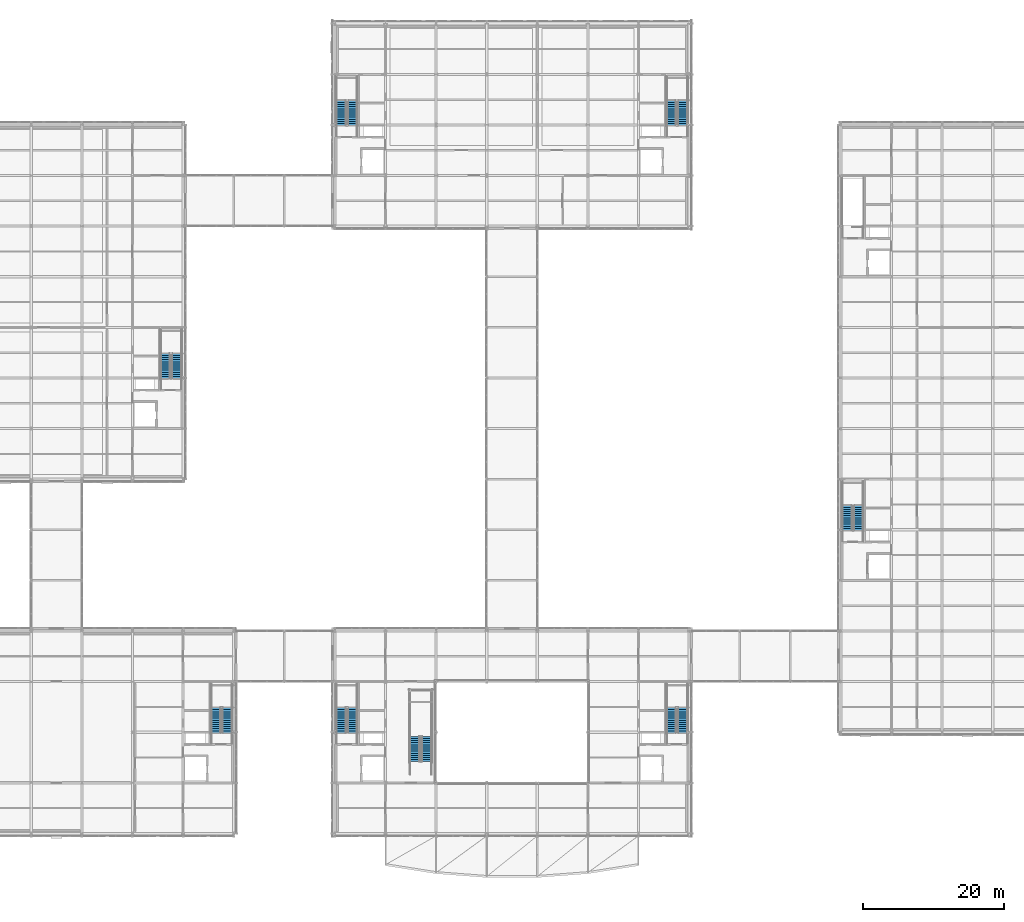
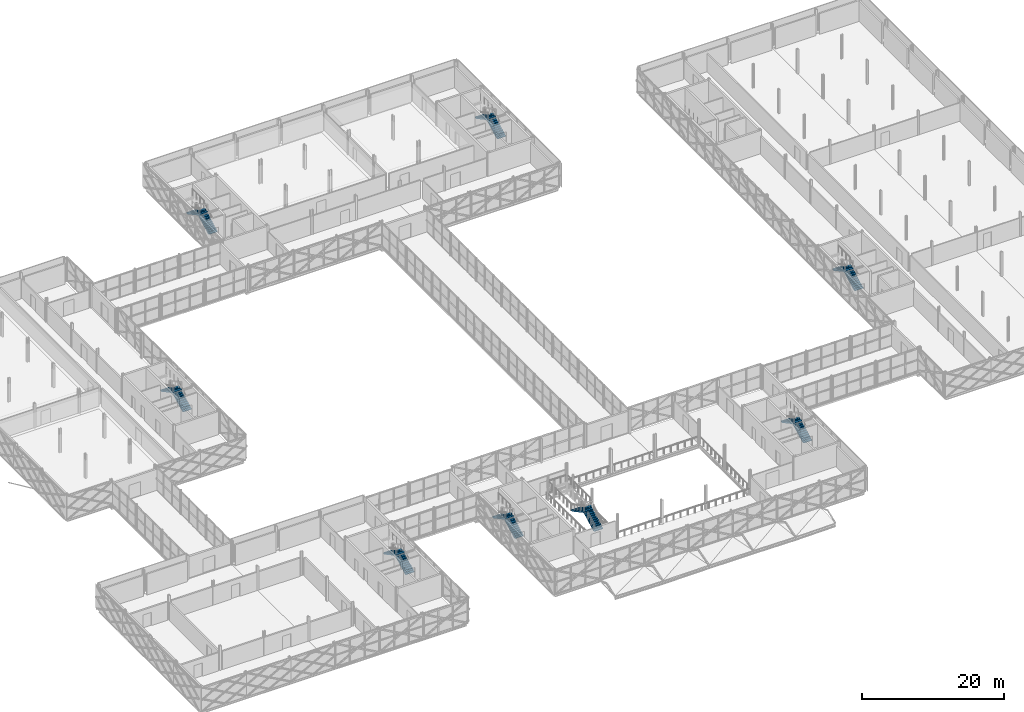
# One storey, part 127 of 146: 16 stair flights, 8 elements without a shape of their own.
"""IFC4 building model written with IfcOpenShell, lengths in metres."""

from ifc_helpers import new_model, si_unit, direction, frame, origin, place, context, subcontext, project, spatial, polyline, outline, extrude, material, type_object, element, aggregate, save


model = new_model("IFC4")

# Units and contexts
model_context = context("Model", 3, precision=1e-05, world=origin(), true_north=direction((0.0, 1.0)))
body_context = subcontext(model_context, "Body", "Model", "MODEL_VIEW")
ifc_project = project(units=[si_unit("LENGTHUNIT", "METRE"), si_unit("AREAUNIT", "SQUARE_METRE"), si_unit("VOLUMEUNIT", "CUBIC_METRE"), si_unit("PLANEANGLEUNIT", "RADIAN"), si_unit("MASSUNIT", "GRAM", prefix="KILO")], contexts=[model_context])

# Site, building, storey
site_placement = place(None, origin())
site = spatial("IfcSite", under=ifc_project, at=site_placement, CompositionType="ELEMENT")
building_placement = place(site_placement, origin())
building = spatial("IfcBuilding", under=site, at=building_placement, Name="Zlatovets Crest Museum", CompositionType="ELEMENT")
storey_placement = place(building_placement, frame((0.0, 0.0, 4.5)))
storey = spatial("IfcBuildingStorey", under=building, at=storey_placement, Name="L01", CompositionType="ELEMENT", Elevation=4.5)

# Stair, stair flights
ifc_material = material(Name="Concrete C35/45", Category="concrete")
stair_type_1 = type_object("IfcStairType", Name="Stair_ST1-26R", PredefinedType="HALF_TURN_STAIR", material=ifc_material)
stair_1_placement = place(storey_placement, origin())
stair_1 = element("IfcStair", 1, at=stair_1_placement, inside=storey, type_object=stair_type_1, Name="L01 Core C1 Escape Stair ST1", PredefinedType="HALF_TURN_STAIR")
stair_flight_type_1 = type_object("IfcStairFlightType", Name="Flight_ST1F-13R", PredefinedType="STRAIGHT", material=ifc_material)
stair_flight_1_placement = place(storey_placement, frame((60.10009765625, 100.699951171875, 0.0), z_axis=(0.0, 0.0, 1.0), x_axis=(0.0, 1.0, 0.0)))
stair_flight_1 = element("IfcStairFlight", 2, at=stair_flight_1_placement, type_object=stair_flight_type_1, Name="ST1 flight 1", NumberOfRisers=13, NumberOfTreads=12, PredefinedType="STRAIGHT", RiserHeight=0.161538462, TreadLength=0.3, context=body_context, shape_type="SweptSolid", body=[
    extrude(outline(polyline([(0.0, 0.0), (0.0, 0.16162109375), (0.300048828125, 0.16162109375), (0.300048828125, 0.322998046875), (0.60009765625, 0.322998046875), (0.60009765625, 0.484619140625), (0.89990234375, 0.484619140625), (0.89990234375, 0.646240234375), (1.199951171875, 0.646240234375), (1.199951171875, 0.8076171875), (1.5, 0.8076171875), (1.5, 0.96923828125), (1.800048828125, 0.96923828125), (1.800048828125, 1.130859375), (2.10009765625, 1.130859375), (2.10009765625, 1.292236328125), (2.39990234375, 1.292236328125), (2.39990234375, 1.453857421875), (2.699951171875, 1.453857421875), (2.699951171875, 1.615478515625), (3.0, 1.615478515625), (3.0, 1.77685546875), (3.300048828125, 1.77685546875), (3.300048828125, 1.9384765625), (3.60009765625, 1.9384765625), (3.60009765625, 2.10009765625), (3.60009765625, 1.768310546875), (0.316162109375, 0.0), (0.0, 0.0)])), frame((0.0, 0.699951171875, 0.0), z_axis=(0.0, -1.0, 0.0), x_axis=(1.0, 0.0, 0.0)), (0.0, 0.0, 1.0), 1.39990234375),
])
stair_flight_2_placement = place(storey_placement, frame((58.5, 104.300048828125, 2.10009765625), z_axis=(0.0, 0.0, 1.0), x_axis=(0.0, -1.0, 0.0)))
stair_flight_2 = element("IfcStairFlight", 3, at=stair_flight_2_placement, type_object=stair_flight_type_1, Name="ST1 flight 2", NumberOfRisers=13, NumberOfTreads=12, PredefinedType="STRAIGHT", RiserHeight=0.161538462, TreadLength=0.3, context=body_context, shape_type="SweptSolid", body=[
    extrude(outline(polyline([(0.0, 0.0), (0.0, 0.16162109375), (0.300048828125, 0.16162109375), (0.300048828125, 0.322998046875), (0.60009765625, 0.322998046875), (0.60009765625, 0.484619140625), (0.89990234375, 0.484619140625), (0.89990234375, 0.646240234375), (1.199951171875, 0.646240234375), (1.199951171875, 0.8076171875), (1.5, 0.8076171875), (1.5, 0.96923828125), (1.800048828125, 0.96923828125), (1.800048828125, 1.130859375), (2.10009765625, 1.130859375), (2.10009765625, 1.292236328125), (2.39990234375, 1.292236328125), (2.39990234375, 1.453857421875), (2.699951171875, 1.453857421875), (2.699951171875, 1.615478515625), (3.0, 1.615478515625), (3.0, 1.77685546875), (3.300048828125, 1.77685546875), (3.300048828125, 1.9384765625), (3.60009765625, 1.9384765625), (3.60009765625, 2.10009765625), (3.60009765625, 1.768310546875), (0.316162109375, 0.0), (0.0, 0.0)])), frame((0.0, 0.699951171875, 0.0), z_axis=(0.0, -1.0, 0.0), x_axis=(1.0, 0.0, 0.0)), (0.0, 0.0, 1.0), 1.39990234375),
])
aggregate(stair_1, [stair_flight_1, stair_flight_2])

stair_type_2 = type_object("IfcStairType", Name="Stair_ST2-26R", PredefinedType="HALF_TURN_STAIR", material=ifc_material)
stair_2_placement = place(storey_placement, origin())
stair_2 = element("IfcStair", 4, at=stair_2_placement, inside=storey, type_object=stair_type_2, Name="L01 Core C2 Escape Stair ST2", PredefinedType="HALF_TURN_STAIR")
stair_flight_type_2 = type_object("IfcStairFlightType", Name="Flight_ST2F-13R", PredefinedType="STRAIGHT", material=ifc_material)
stair_flight_3_placement = place(storey_placement, frame((60.10009765625, 14.300048828125, 0.0), z_axis=(0.0, 0.0, 1.0), x_axis=(0.0, 1.0, 0.0)))
stair_flight_3 = element("IfcStairFlight", 5, at=stair_flight_3_placement, type_object=stair_flight_type_2, Name="ST2 flight 1", NumberOfRisers=13, NumberOfTreads=12, PredefinedType="STRAIGHT", RiserHeight=0.161538462, TreadLength=0.3, context=body_context, shape_type="SweptSolid", body=[
    extrude(outline(polyline([(0.0, 0.0), (0.0, 0.16162109375), (0.300048828125, 0.16162109375), (0.300048828125, 0.322998046875), (0.60009765625, 0.322998046875), (0.60009765625, 0.484619140625), (0.89990234375, 0.484619140625), (0.89990234375, 0.646240234375), (1.199951171875, 0.646240234375), (1.199951171875, 0.8076171875), (1.5, 0.8076171875), (1.5, 0.96923828125), (1.800048828125, 0.96923828125), (1.800048828125, 1.130859375), (2.10009765625, 1.130859375), (2.10009765625, 1.292236328125), (2.39990234375, 1.292236328125), (2.39990234375, 1.453857421875), (2.699951171875, 1.453857421875), (2.699951171875, 1.615478515625), (3.0, 1.615478515625), (3.0, 1.77685546875), (3.300048828125, 1.77685546875), (3.300048828125, 1.9384765625), (3.60009765625, 1.9384765625), (3.60009765625, 2.10009765625), (3.60009765625, 1.768310546875), (0.316162109375, 0.0), (0.0, 0.0)])), frame((0.0, 0.699951171875, 0.0), z_axis=(0.0, -1.0, 0.0), x_axis=(1.0, 0.0, 0.0)), (0.0, 0.0, 1.0), 1.39990234375),
])
stair_flight_4_placement = place(storey_placement, frame((58.5, 17.89990234375, 2.10009765625), z_axis=(0.0, 0.0, 1.0), x_axis=(0.0, -1.0, 0.0)))
stair_flight_4 = element("IfcStairFlight", 6, at=stair_flight_4_placement, type_object=stair_flight_type_2, Name="ST2 flight 2", NumberOfRisers=13, NumberOfTreads=12, PredefinedType="STRAIGHT", RiserHeight=0.161538462, TreadLength=0.3, context=body_context, shape_type="SweptSolid", body=[
    extrude(outline(polyline([(0.0, 0.0), (0.0, 0.16162109375), (0.300048828125, 0.16162109375), (0.300048828125, 0.322998046875), (0.60009765625, 0.322998046875), (0.60009765625, 0.484619140625), (0.89990234375, 0.484619140625), (0.89990234375, 0.646240234375), (1.199951171875, 0.646240234375), (1.199951171875, 0.8076171875), (1.5, 0.8076171875), (1.5, 0.96923828125), (1.800048828125, 0.96923828125), (1.800048828125, 1.130859375), (2.10009765625, 1.130859375), (2.10009765625, 1.292236328125), (2.39990234375, 1.292236328125), (2.39990234375, 1.453857421875), (2.699951171875, 1.453857421875), (2.699951171875, 1.615478515625), (3.0, 1.615478515625), (3.0, 1.77685546875), (3.300048828125, 1.77685546875), (3.300048828125, 1.9384765625), (3.60009765625, 1.9384765625), (3.60009765625, 2.10009765625), (3.60009765625, 1.768310546875), (0.316162109375, 0.0), (0.0, 0.0)])), frame((0.0, 0.699951171875, 0.0), z_axis=(0.0, -1.0, 0.0), x_axis=(1.0, 0.0, 0.0)), (0.0, 0.0, 1.0), 1.39990234375),
])
aggregate(stair_2, [stair_flight_3, stair_flight_4])

stair_type_3 = type_object("IfcStairType", Name="Stair_ST3-26R", PredefinedType="HALF_TURN_STAIR", material=ifc_material)
stair_3_placement = place(storey_placement, origin())
stair_3 = element("IfcStair", 7, at=stair_3_placement, inside=storey, type_object=stair_type_3, Name="L01 Core C3 Escape Stair ST3", PredefinedType="HALF_TURN_STAIR")
stair_flight_type_3 = type_object("IfcStairFlightType", Name="Flight_ST3F-13R", PredefinedType="STRAIGHT", material=ifc_material)
stair_flight_5_placement = place(storey_placement, frame((42.300048828125, 14.300048828125, 0.0), z_axis=(0.0, 0.0, 1.0), x_axis=(0.0, 1.0, 0.0)))
stair_flight_5 = element("IfcStairFlight", 8, at=stair_flight_5_placement, type_object=stair_flight_type_3, Name="ST3 flight 1", NumberOfRisers=13, NumberOfTreads=12, PredefinedType="STRAIGHT", RiserHeight=0.161538462, TreadLength=0.3, context=body_context, shape_type="SweptSolid", body=[
    extrude(outline(polyline([(0.0, 0.0), (0.0, 0.16162109375), (0.300048828125, 0.16162109375), (0.300048828125, 0.322998046875), (0.60009765625, 0.322998046875), (0.60009765625, 0.484619140625), (0.89990234375, 0.484619140625), (0.89990234375, 0.646240234375), (1.199951171875, 0.646240234375), (1.199951171875, 0.8076171875), (1.5, 0.8076171875), (1.5, 0.96923828125), (1.800048828125, 0.96923828125), (1.800048828125, 1.130859375), (2.10009765625, 1.130859375), (2.10009765625, 1.292236328125), (2.39990234375, 1.292236328125), (2.39990234375, 1.453857421875), (2.699951171875, 1.453857421875), (2.699951171875, 1.615478515625), (3.0, 1.615478515625), (3.0, 1.77685546875), (3.300048828125, 1.77685546875), (3.300048828125, 1.9384765625), (3.60009765625, 1.9384765625), (3.60009765625, 2.10009765625), (3.60009765625, 1.768310546875), (0.316162109375, 0.0), (0.0, 0.0)])), frame((0.0, 0.699951171875, 0.0), z_axis=(0.0, -1.0, 0.0), x_axis=(1.0, 0.0, 0.0)), (0.0, 0.0, 1.0), 1.39990234375),
])
stair_flight_6_placement = place(storey_placement, frame((40.699951171875, 17.89990234375, 2.10009765625), z_axis=(0.0, 0.0, 1.0), x_axis=(0.0, -1.0, 0.0)))
stair_flight_6 = element("IfcStairFlight", 9, at=stair_flight_6_placement, type_object=stair_flight_type_3, Name="ST3 flight 2", NumberOfRisers=13, NumberOfTreads=12, PredefinedType="STRAIGHT", RiserHeight=0.161538462, TreadLength=0.3, context=body_context, shape_type="SweptSolid", body=[
    extrude(outline(polyline([(0.0, 0.0), (0.0, 0.16162109375), (0.300048828125, 0.16162109375), (0.300048828125, 0.322998046875), (0.60009765625, 0.322998046875), (0.60009765625, 0.484619140625), (0.89990234375, 0.484619140625), (0.89990234375, 0.646240234375), (1.199951171875, 0.646240234375), (1.199951171875, 0.8076171875), (1.5, 0.8076171875), (1.5, 0.96923828125), (1.800048828125, 0.96923828125), (1.800048828125, 1.130859375), (2.10009765625, 1.130859375), (2.10009765625, 1.292236328125), (2.39990234375, 1.292236328125), (2.39990234375, 1.453857421875), (2.699951171875, 1.453857421875), (2.699951171875, 1.615478515625), (3.0, 1.615478515625), (3.0, 1.77685546875), (3.300048828125, 1.77685546875), (3.300048828125, 1.9384765625), (3.60009765625, 1.9384765625), (3.60009765625, 2.10009765625), (3.60009765625, 1.768310546875), (0.316162109375, 0.0), (0.0, 0.0)])), frame((0.0, 0.699951171875, 0.0), z_axis=(0.0, -1.0, 0.0), x_axis=(1.0, 0.0, 0.0)), (0.0, 0.0, 1.0), 1.39990234375),
])
aggregate(stair_3, [stair_flight_5, stair_flight_6])

stair_type_4 = type_object("IfcStairType", Name="Stair_ST4-26R", PredefinedType="HALF_TURN_STAIR", material=ifc_material)
stair_4_placement = place(storey_placement, origin())
stair_4 = element("IfcStair", 10, at=stair_4_placement, inside=storey, type_object=stair_type_4, Name="L01 Core C4 Escape Stair ST4", PredefinedType="HALF_TURN_STAIR")
stair_flight_type_4 = type_object("IfcStairFlightType", Name="Flight_ST4F-13R", PredefinedType="STRAIGHT", material=ifc_material)
stair_flight_7_placement = place(storey_placement, frame((35.10009765625, 64.699951171875, 0.0), z_axis=(0.0, 0.0, 1.0), x_axis=(0.0, 1.0, 0.0)))
stair_flight_7 = element("IfcStairFlight", 11, at=stair_flight_7_placement, type_object=stair_flight_type_4, Name="ST4 flight 1", NumberOfRisers=13, NumberOfTreads=12, PredefinedType="STRAIGHT", RiserHeight=0.161538462, TreadLength=0.3, context=body_context, shape_type="SweptSolid", body=[
    extrude(outline(polyline([(0.0, 0.0), (0.0, 0.16162109375), (0.300048828125, 0.16162109375), (0.300048828125, 0.322998046875), (0.60009765625, 0.322998046875), (0.60009765625, 0.484619140625), (0.89990234375, 0.484619140625), (0.89990234375, 0.646240234375), (1.199951171875, 0.646240234375), (1.199951171875, 0.8076171875), (1.5, 0.8076171875), (1.5, 0.96923828125), (1.800048828125, 0.96923828125), (1.800048828125, 1.130859375), (2.10009765625, 1.130859375), (2.10009765625, 1.292236328125), (2.39990234375, 1.292236328125), (2.39990234375, 1.453857421875), (2.699951171875, 1.453857421875), (2.699951171875, 1.615478515625), (3.0, 1.615478515625), (3.0, 1.77685546875), (3.300048828125, 1.77685546875), (3.300048828125, 1.9384765625), (3.60009765625, 1.9384765625), (3.60009765625, 2.10009765625), (3.60009765625, 1.768310546875), (0.316162109375, 0.0), (0.0, 0.0)])), frame((0.0, 0.699951171875, 0.0), z_axis=(0.0, -1.0, 0.0), x_axis=(1.0, 0.0, 0.0)), (0.0, 0.0, 1.0), 1.39990234375),
])
stair_flight_8_placement = place(storey_placement, frame((33.5, 68.300048828125, 2.10009765625), z_axis=(0.0, 0.0, 1.0), x_axis=(0.0, -1.0, 0.0)))
stair_flight_8 = element("IfcStairFlight", 12, at=stair_flight_8_placement, type_object=stair_flight_type_4, Name="ST4 flight 2", NumberOfRisers=13, NumberOfTreads=12, PredefinedType="STRAIGHT", RiserHeight=0.161538462, TreadLength=0.3, context=body_context, shape_type="SweptSolid", body=[
    extrude(outline(polyline([(0.0, 0.0), (0.0, 0.16162109375), (0.300048828125, 0.16162109375), (0.300048828125, 0.322998046875), (0.60009765625, 0.322998046875), (0.60009765625, 0.484619140625), (0.89990234375, 0.484619140625), (0.89990234375, 0.646240234375), (1.199951171875, 0.646240234375), (1.199951171875, 0.8076171875), (1.5, 0.8076171875), (1.5, 0.96923828125), (1.800048828125, 0.96923828125), (1.800048828125, 1.130859375), (2.10009765625, 1.130859375), (2.10009765625, 1.292236328125), (2.39990234375, 1.292236328125), (2.39990234375, 1.453857421875), (2.699951171875, 1.453857421875), (2.699951171875, 1.615478515625), (3.0, 1.615478515625), (3.0, 1.77685546875), (3.300048828125, 1.77685546875), (3.300048828125, 1.9384765625), (3.60009765625, 1.9384765625), (3.60009765625, 2.10009765625), (3.60009765625, 1.768310546875), (0.316162109375, 0.0), (0.0, 0.0)])), frame((0.0, 0.699951171875, 0.0), z_axis=(0.0, -1.0, 0.0), x_axis=(1.0, 0.0, 0.0)), (0.0, 0.0, 1.0), 1.39990234375),
])
aggregate(stair_4, [stair_flight_7, stair_flight_8])

stair_type_5 = type_object("IfcStairType", Name="Stair_ST5-26R", PredefinedType="HALF_TURN_STAIR", material=ifc_material)
stair_5_placement = place(storey_placement, origin())
stair_5 = element("IfcStair", 13, at=stair_5_placement, inside=storey, type_object=stair_type_5, Name="L01 Core C5 Escape Stair ST5", PredefinedType="HALF_TURN_STAIR")
stair_flight_type_5 = type_object("IfcStairFlightType", Name="Flight_ST5F-13R", PredefinedType="STRAIGHT", material=ifc_material)
stair_flight_9_placement = place(storey_placement, frame((132.10009765625, 43.10009765625, 0.0), z_axis=(0.0, 0.0, 1.0), x_axis=(0.0, 1.0, 0.0)))
stair_flight_9 = element("IfcStairFlight", 14, at=stair_flight_9_placement, type_object=stair_flight_type_5, Name="ST5 flight 1", NumberOfRisers=13, NumberOfTreads=12, PredefinedType="STRAIGHT", RiserHeight=0.161538462, TreadLength=0.3, context=body_context, shape_type="SweptSolid", body=[
    extrude(outline(polyline([(0.0, 0.0), (0.0, 0.16162109375), (0.300048828125, 0.16162109375), (0.300048828125, 0.322998046875), (0.60009765625, 0.322998046875), (0.60009765625, 0.484619140625), (0.89990234375, 0.484619140625), (0.89990234375, 0.646240234375), (1.199951171875, 0.646240234375), (1.199951171875, 0.8076171875), (1.5, 0.8076171875), (1.5, 0.96923828125), (1.800048828125, 0.96923828125), (1.800048828125, 1.130859375), (2.10009765625, 1.130859375), (2.10009765625, 1.292236328125), (2.39990234375, 1.292236328125), (2.39990234375, 1.453857421875), (2.699951171875, 1.453857421875), (2.699951171875, 1.615478515625), (3.0, 1.615478515625), (3.0, 1.77685546875), (3.300048828125, 1.77685546875), (3.300048828125, 1.9384765625), (3.60009765625, 1.9384765625), (3.60009765625, 2.10009765625), (3.60009765625, 1.768310546875), (0.316162109375, 0.0), (0.0, 0.0)])), frame((0.0, 0.699951171875, 0.0), z_axis=(0.0, -1.0, 0.0), x_axis=(1.0, 0.0, 0.0)), (0.0, 0.0, 1.0), 1.39990234375),
])
stair_flight_10_placement = place(storey_placement, frame((130.5, 46.699951171875, 2.10009765625), z_axis=(0.0, 0.0, 1.0), x_axis=(0.0, -1.0, 0.0)))
stair_flight_10 = element("IfcStairFlight", 15, at=stair_flight_10_placement, type_object=stair_flight_type_5, Name="ST5 flight 2", NumberOfRisers=13, NumberOfTreads=12, PredefinedType="STRAIGHT", RiserHeight=0.161538462, TreadLength=0.3, context=body_context, shape_type="SweptSolid", body=[
    extrude(outline(polyline([(0.0, 0.0), (0.0, 0.16162109375), (0.300048828125, 0.16162109375), (0.300048828125, 0.322998046875), (0.60009765625, 0.322998046875), (0.60009765625, 0.484619140625), (0.89990234375, 0.484619140625), (0.89990234375, 0.646240234375), (1.199951171875, 0.646240234375), (1.199951171875, 0.8076171875), (1.5, 0.8076171875), (1.5, 0.96923828125), (1.800048828125, 0.96923828125), (1.800048828125, 1.130859375), (2.10009765625, 1.130859375), (2.10009765625, 1.292236328125), (2.39990234375, 1.292236328125), (2.39990234375, 1.453857421875), (2.699951171875, 1.453857421875), (2.699951171875, 1.615478515625), (3.0, 1.615478515625), (3.0, 1.77685546875), (3.300048828125, 1.77685546875), (3.300048828125, 1.9384765625), (3.60009765625, 1.9384765625), (3.60009765625, 2.10009765625), (3.60009765625, 1.768310546875), (0.316162109375, 0.0), (0.0, 0.0)])), frame((0.0, 0.699951171875, 0.0), z_axis=(0.0, -1.0, 0.0), x_axis=(1.0, 0.0, 0.0)), (0.0, 0.0, 1.0), 1.39990234375),
])
aggregate(stair_5, [stair_flight_9, stair_flight_10])

stair_type_6 = type_object("IfcStairType", Name="Stair_ST6-26R", PredefinedType="HALF_TURN_STAIR", material=ifc_material)
stair_6_placement = place(storey_placement, origin())
stair_6 = element("IfcStair", 16, at=stair_6_placement, inside=storey, type_object=stair_type_6, Name="L01 Atrium Feature Stair ST6", PredefinedType="HALF_TURN_STAIR")
stair_flight_type_6 = type_object("IfcStairFlightType", Name="Flight_ST6F-13R", PredefinedType="STRAIGHT", material=ifc_material)
stair_flight_11_placement = place(storey_placement, frame((70.675048828125, 10.199951171875, 0.0), z_axis=(0.0, 0.0, 1.0), x_axis=(0.0, 1.0, 0.0)))
stair_flight_11 = element("IfcStairFlight", 17, at=stair_flight_11_placement, type_object=stair_flight_type_6, Name="ST6 flight 1", NumberOfRisers=13, NumberOfTreads=12, PredefinedType="STRAIGHT", RiserHeight=0.161538462, TreadLength=0.3, context=body_context, shape_type="SweptSolid", body=[
    extrude(outline(polyline([(0.0, 0.0), (0.0, 0.16162109375), (0.300048828125, 0.16162109375), (0.300048828125, 0.322998046875), (0.60009765625, 0.322998046875), (0.60009765625, 0.484619140625), (0.89990234375, 0.484619140625), (0.89990234375, 0.646240234375), (1.199951171875, 0.646240234375), (1.199951171875, 0.8076171875), (1.5, 0.8076171875), (1.5, 0.96923828125), (1.800048828125, 0.96923828125), (1.800048828125, 1.130859375), (2.10009765625, 1.130859375), (2.10009765625, 1.292236328125), (2.39990234375, 1.292236328125), (2.39990234375, 1.453857421875), (2.699951171875, 1.453857421875), (2.699951171875, 1.615478515625), (3.0, 1.615478515625), (3.0, 1.77685546875), (3.300048828125, 1.77685546875), (3.300048828125, 1.9384765625), (3.60009765625, 1.9384765625), (3.60009765625, 2.10009765625), (3.60009765625, 1.768310546875), (0.316162109375, 0.0), (0.0, 0.0)])), frame((0.0, 0.72509765625, 0.0), z_axis=(0.0, -1.0, 0.0), x_axis=(1.0, 0.0, 0.0)), (0.0, 0.0, 1.0), 1.449951171875),
])
stair_flight_12_placement = place(storey_placement, frame((68.97509765625, 13.800048828125, 2.10009765625), z_axis=(0.0, 0.0, 1.0), x_axis=(0.0, -1.0, 0.0)))
stair_flight_12 = element("IfcStairFlight", 18, at=stair_flight_12_placement, type_object=stair_flight_type_6, Name="ST6 flight 2", NumberOfRisers=13, NumberOfTreads=12, PredefinedType="STRAIGHT", RiserHeight=0.161538462, TreadLength=0.3, context=body_context, shape_type="SweptSolid", body=[
    extrude(outline(polyline([(0.0, 0.0), (0.0, 0.16162109375), (0.300048828125, 0.16162109375), (0.300048828125, 0.322998046875), (0.60009765625, 0.322998046875), (0.60009765625, 0.484619140625), (0.89990234375, 0.484619140625), (0.89990234375, 0.646240234375), (1.199951171875, 0.646240234375), (1.199951171875, 0.8076171875), (1.5, 0.8076171875), (1.5, 0.96923828125), (1.800048828125, 0.96923828125), (1.800048828125, 1.130859375), (2.10009765625, 1.130859375), (2.10009765625, 1.292236328125), (2.39990234375, 1.292236328125), (2.39990234375, 1.453857421875), (2.699951171875, 1.453857421875), (2.699951171875, 1.615478515625), (3.0, 1.615478515625), (3.0, 1.77685546875), (3.300048828125, 1.77685546875), (3.300048828125, 1.9384765625), (3.60009765625, 1.9384765625), (3.60009765625, 2.10009765625), (3.60009765625, 1.768310546875), (0.316162109375, 0.0), (0.0, 0.0)])), frame((0.0, 0.72509765625, 0.0), z_axis=(0.0, -1.0, 0.0), x_axis=(1.0, 0.0, 0.0)), (0.0, 0.0, 1.0), 1.449951171875),
])
aggregate(stair_6, [stair_flight_11, stair_flight_12])

stair_type_7 = type_object("IfcStairType", Name="Stair_ST7-26R", PredefinedType="HALF_TURN_STAIR", material=ifc_material)
stair_7_placement = place(storey_placement, origin())
stair_7 = element("IfcStair", 19, at=stair_7_placement, inside=storey, type_object=stair_type_7, Name="L01 Core C6 Escape Stair ST7", PredefinedType="HALF_TURN_STAIR")
stair_flight_type_7 = type_object("IfcStairFlightType", Name="Flight_ST7F-13R", PredefinedType="STRAIGHT", material=ifc_material)
stair_flight_13_placement = place(storey_placement, frame((107.10009765625, 100.699951171875, 0.0), z_axis=(0.0, 0.0, 1.0), x_axis=(0.0, 1.0, 0.0)))
stair_flight_13 = element("IfcStairFlight", 20, at=stair_flight_13_placement, type_object=stair_flight_type_7, Name="ST7 flight 1", NumberOfRisers=13, NumberOfTreads=12, PredefinedType="STRAIGHT", RiserHeight=0.161538462, TreadLength=0.3, context=body_context, shape_type="SweptSolid", body=[
    extrude(outline(polyline([(0.0, 0.0), (0.0, 0.16162109375), (0.300048828125, 0.16162109375), (0.300048828125, 0.322998046875), (0.60009765625, 0.322998046875), (0.60009765625, 0.484619140625), (0.89990234375, 0.484619140625), (0.89990234375, 0.646240234375), (1.199951171875, 0.646240234375), (1.199951171875, 0.8076171875), (1.5, 0.8076171875), (1.5, 0.96923828125), (1.800048828125, 0.96923828125), (1.800048828125, 1.130859375), (2.10009765625, 1.130859375), (2.10009765625, 1.292236328125), (2.39990234375, 1.292236328125), (2.39990234375, 1.453857421875), (2.699951171875, 1.453857421875), (2.699951171875, 1.615478515625), (3.0, 1.615478515625), (3.0, 1.77685546875), (3.300048828125, 1.77685546875), (3.300048828125, 1.9384765625), (3.60009765625, 1.9384765625), (3.60009765625, 2.10009765625), (3.60009765625, 1.768310546875), (0.316162109375, 0.0), (0.0, 0.0)])), frame((0.0, 0.699951171875, 0.0), z_axis=(0.0, -1.0, 0.0), x_axis=(1.0, 0.0, 0.0)), (0.0, 0.0, 1.0), 1.39990234375),
])
stair_flight_14_placement = place(storey_placement, frame((105.5, 104.300048828125, 2.10009765625), z_axis=(0.0, 0.0, 1.0), x_axis=(0.0, -1.0, 0.0)))
stair_flight_14 = element("IfcStairFlight", 21, at=stair_flight_14_placement, type_object=stair_flight_type_7, Name="ST7 flight 2", NumberOfRisers=13, NumberOfTreads=12, PredefinedType="STRAIGHT", RiserHeight=0.161538462, TreadLength=0.3, context=body_context, shape_type="SweptSolid", body=[
    extrude(outline(polyline([(0.0, 0.0), (0.0, 0.16162109375), (0.300048828125, 0.16162109375), (0.300048828125, 0.322998046875), (0.60009765625, 0.322998046875), (0.60009765625, 0.484619140625), (0.89990234375, 0.484619140625), (0.89990234375, 0.646240234375), (1.199951171875, 0.646240234375), (1.199951171875, 0.8076171875), (1.5, 0.8076171875), (1.5, 0.96923828125), (1.800048828125, 0.96923828125), (1.800048828125, 1.130859375), (2.10009765625, 1.130859375), (2.10009765625, 1.292236328125), (2.39990234375, 1.292236328125), (2.39990234375, 1.453857421875), (2.699951171875, 1.453857421875), (2.699951171875, 1.615478515625), (3.0, 1.615478515625), (3.0, 1.77685546875), (3.300048828125, 1.77685546875), (3.300048828125, 1.9384765625), (3.60009765625, 1.9384765625), (3.60009765625, 2.10009765625), (3.60009765625, 1.768310546875), (0.316162109375, 0.0), (0.0, 0.0)])), frame((0.0, 0.699951171875, 0.0), z_axis=(0.0, -1.0, 0.0), x_axis=(1.0, 0.0, 0.0)), (0.0, 0.0, 1.0), 1.39990234375),
])
aggregate(stair_7, [stair_flight_13, stair_flight_14])

stair_type_8 = type_object("IfcStairType", Name="Stair_ST9-26R", PredefinedType="HALF_TURN_STAIR", material=ifc_material)
stair_8_placement = place(storey_placement, origin())
stair_8 = element("IfcStair", 22, at=stair_8_placement, inside=storey, type_object=stair_type_8, Name="L01 Core C8 Escape Stair ST9", PredefinedType="HALF_TURN_STAIR")
stair_flight_type_8 = type_object("IfcStairFlightType", Name="Flight_ST9F-13R", PredefinedType="STRAIGHT", material=ifc_material)
stair_flight_15_placement = place(storey_placement, frame((107.10009765625, 14.300048828125, 0.0), z_axis=(0.0, 0.0, 1.0), x_axis=(0.0, 1.0, 0.0)))
stair_flight_15 = element("IfcStairFlight", 23, at=stair_flight_15_placement, type_object=stair_flight_type_8, Name="ST9 flight 1", NumberOfRisers=13, NumberOfTreads=12, PredefinedType="STRAIGHT", RiserHeight=0.161538462, TreadLength=0.3, context=body_context, shape_type="SweptSolid", body=[
    extrude(outline(polyline([(0.0, 0.0), (0.0, 0.16162109375), (0.300048828125, 0.16162109375), (0.300048828125, 0.322998046875), (0.60009765625, 0.322998046875), (0.60009765625, 0.484619140625), (0.89990234375, 0.484619140625), (0.89990234375, 0.646240234375), (1.199951171875, 0.646240234375), (1.199951171875, 0.8076171875), (1.5, 0.8076171875), (1.5, 0.96923828125), (1.800048828125, 0.96923828125), (1.800048828125, 1.130859375), (2.10009765625, 1.130859375), (2.10009765625, 1.292236328125), (2.39990234375, 1.292236328125), (2.39990234375, 1.453857421875), (2.699951171875, 1.453857421875), (2.699951171875, 1.615478515625), (3.0, 1.615478515625), (3.0, 1.77685546875), (3.300048828125, 1.77685546875), (3.300048828125, 1.9384765625), (3.60009765625, 1.9384765625), (3.60009765625, 2.10009765625), (3.60009765625, 1.768310546875), (0.316162109375, 0.0), (0.0, 0.0)])), frame((0.0, 0.699951171875, 0.0), z_axis=(0.0, -1.0, 0.0), x_axis=(1.0, 0.0, 0.0)), (0.0, 0.0, 1.0), 1.39990234375),
])
stair_flight_16_placement = place(storey_placement, frame((105.5, 17.89990234375, 2.10009765625), z_axis=(0.0, 0.0, 1.0), x_axis=(0.0, -1.0, 0.0)))
stair_flight_16 = element("IfcStairFlight", 24, at=stair_flight_16_placement, type_object=stair_flight_type_8, Name="ST9 flight 2", NumberOfRisers=13, NumberOfTreads=12, PredefinedType="STRAIGHT", RiserHeight=0.161538462, TreadLength=0.3, context=body_context, shape_type="SweptSolid", body=[
    extrude(outline(polyline([(0.0, 0.0), (0.0, 0.16162109375), (0.300048828125, 0.16162109375), (0.300048828125, 0.322998046875), (0.60009765625, 0.322998046875), (0.60009765625, 0.484619140625), (0.89990234375, 0.484619140625), (0.89990234375, 0.646240234375), (1.199951171875, 0.646240234375), (1.199951171875, 0.8076171875), (1.5, 0.8076171875), (1.5, 0.96923828125), (1.800048828125, 0.96923828125), (1.800048828125, 1.130859375), (2.10009765625, 1.130859375), (2.10009765625, 1.292236328125), (2.39990234375, 1.292236328125), (2.39990234375, 1.453857421875), (2.699951171875, 1.453857421875), (2.699951171875, 1.615478515625), (3.0, 1.615478515625), (3.0, 1.77685546875), (3.300048828125, 1.77685546875), (3.300048828125, 1.9384765625), (3.60009765625, 1.9384765625), (3.60009765625, 2.10009765625), (3.60009765625, 1.768310546875), (0.316162109375, 0.0), (0.0, 0.0)])), frame((0.0, 0.699951171875, 0.0), z_axis=(0.0, -1.0, 0.0), x_axis=(1.0, 0.0, 0.0)), (0.0, 0.0, 1.0), 1.39990234375),
])
aggregate(stair_8, [stair_flight_15, stair_flight_16])

save(model, "model.ifc")
